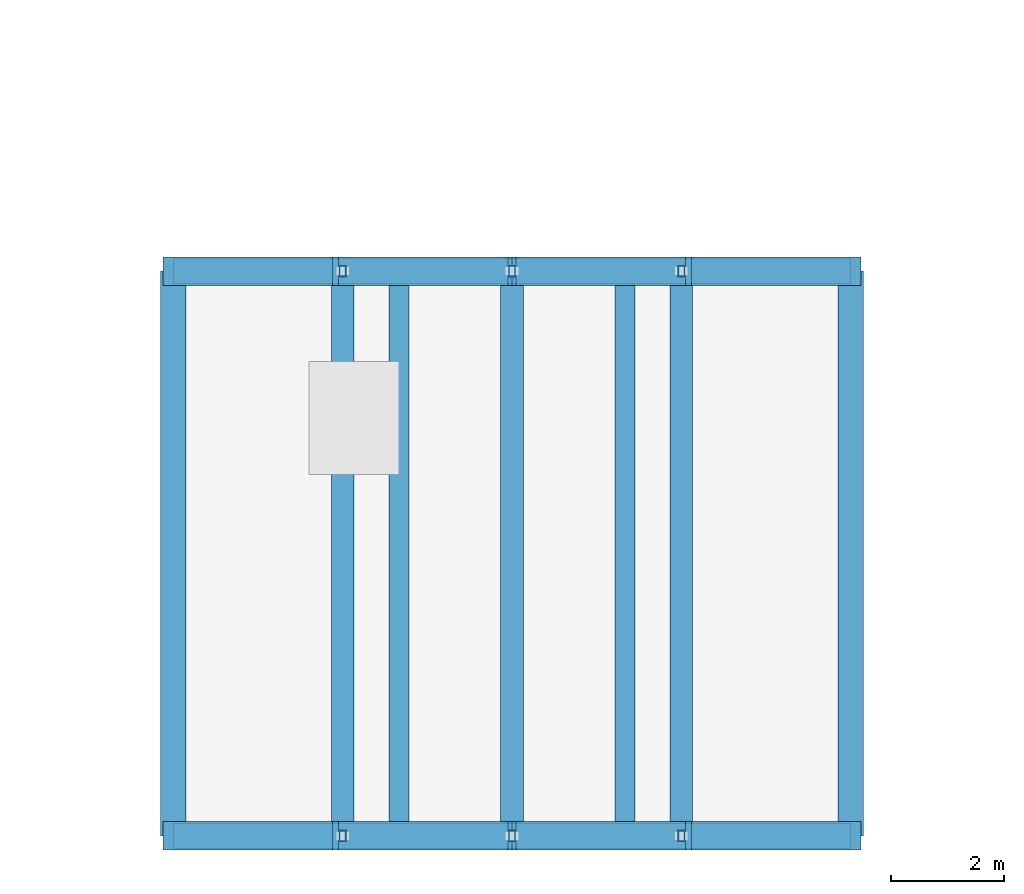
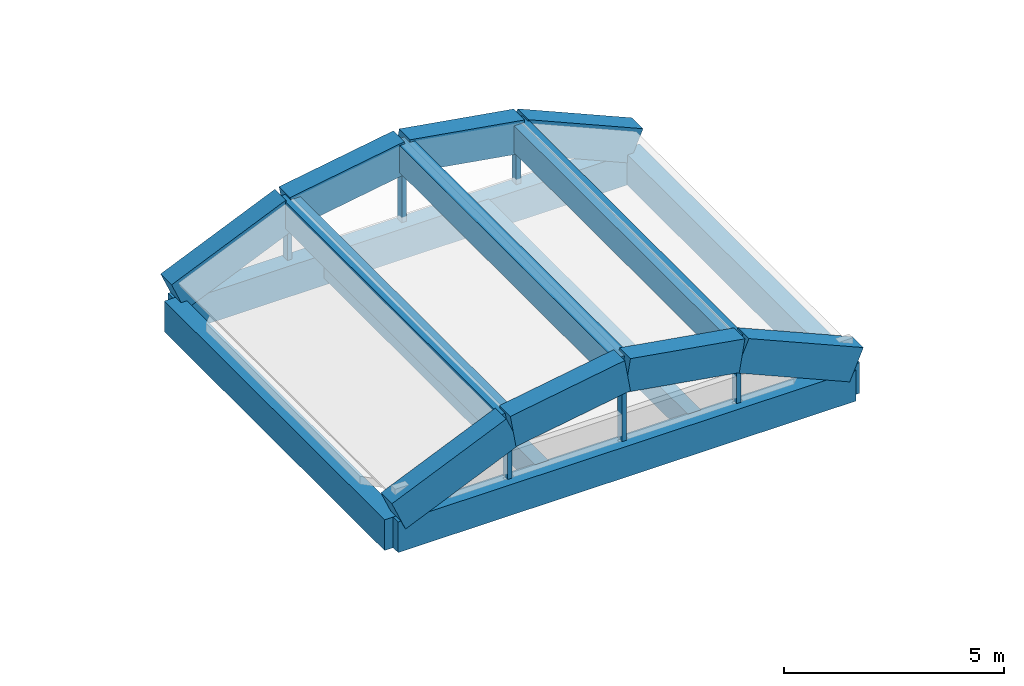
# One storey, part 7 of 82: 17 beams, 6 members.
"""IFC4 building model written with IfcOpenShell, lengths in metres."""

from ifc_helpers import new_model, si_unit, direction, frame, origin, origin_2d, place, context, subcontext, project, spatial, rectangle, hollow_rectangle, extrude, material, material_profile, profile_set, type_object, element, save


model = new_model("IFC4")

# Units and contexts
model_context = context("Model", 3, precision=1e-05, world=origin(), true_north=direction((0.0, 1.0)))
body_context = subcontext(model_context, "Body", "Model", "MODEL_VIEW")
ifc_project = project(units=[si_unit("LENGTHUNIT", "METRE"), si_unit("AREAUNIT", "SQUARE_METRE"), si_unit("VOLUMEUNIT", "CUBIC_METRE"), si_unit("PLANEANGLEUNIT", "RADIAN"), si_unit("MASSUNIT", "GRAM", prefix="KILO")], contexts=[model_context])

# Site, building, storey
site_placement = place(None, origin())
site = spatial("IfcSite", under=ifc_project, at=site_placement, CompositionType="ELEMENT")
building_placement = place(site_placement, origin())
building = spatial("IfcBuilding", under=site, at=building_placement, Name="Mersad Railyard Sports Hall", CompositionType="ELEMENT")
storey_placement = place(building_placement, frame((0.0, 0.0, 13.199951171875)))
storey = spatial("IfcBuildingStorey", under=building, at=storey_placement, Name="L03", CompositionType="ELEMENT", Elevation=13.199951171875)

# Beams
ifc_material_1 = material(Name="Concrete C40/50", Category="concrete")
ifc_material_profile_1 = material_profile(ifc_material_1, rectangle(XDim=0.39990234375, YDim=0.75, at=origin_2d()), Name="RC 400x750")
ifc_profile_set_1 = profile_set([ifc_material_profile_1], Name="Concrete C40/50")
beam_type_1 = type_object("IfcBeamType", Name="STR-BM-B01", PredefinedType="BEAM", material=ifc_profile_set_1)
for number, where, z_axis, x_axis, name in (
    (1, (82.0, 3.5, 1.25), (0.0, 1.0, 0.0), (-1.0, 0.0, 0.0), "Beam B01-1600"),
    (2, (85.0, 3.5, 1.75), (0.0, 1.0, 0.0), (-1.0, 0.0, 0.0), "Beam B01-1601"),
    (3, (88.0, 3.5, 1.25), (0.0, 1.0, 0.0), (-1.0, 0.0, 0.0), "Beam B01-1602"),
):
    element("IfcBeam", number, at=place(storey_placement, frame(where, z_axis=z_axis, x_axis=x_axis)), inside=storey, type_object=beam_type_1, Name=name, PredefinedType="BEAM", context=body_context, shape_type="SweptSolid", body=[
        extrude(rectangle(XDim=0.39990234375, YDim=0.75, at=origin_2d()), origin(), (0.0, 0.0, 1.0), 10.0),
    ])
ifc_material_profile_2 = material_profile(ifc_material_1, rectangle(XDim=0.449951171875, YDim=0.85009765625, at=origin_2d()), Name="RC 450x850")
ifc_profile_set_2 = profile_set([ifc_material_profile_2], Name="Concrete C40/50")
beam_type_2 = type_object("IfcBeamType", Name="STR-BM-B02", PredefinedType="BEAM", material=ifc_profile_set_2)
for number, where, z_axis, x_axis, name in (
    (4, (79.0, 3.5, -0.64501953125), (1.0, 0.0, 0.0), (0.0, 1.0, 0.0), "Beam B02-0566"),
    (5, (79.0, 13.5, -0.64501953125), (1.0, 0.0, 0.0), (0.0, 1.0, 0.0), "Beam B02-0567"),
):
    element("IfcBeam", number, at=place(storey_placement, frame(where, z_axis=z_axis, x_axis=x_axis)), inside=storey, type_object=beam_type_2, Name=name, PredefinedType="BEAM", context=body_context, shape_type="SweptSolid", body=[
        extrude(rectangle(XDim=0.449951171875, YDim=0.85009765625, at=origin_2d()), origin(), (0.0, 0.0, 1.0), 12.0),
    ])
for number, where, z_axis, x_axis, name in (
    (6, (79.0, 3.5, -0.64501953125), (0.0, 1.0, 0.0), (-1.0, 0.0, 0.0), "Beam B02-0568"),
    (7, (91.0, 3.5, -0.64501953125), (0.0, 1.0, 0.0), (-1.0, 0.0, 0.0), "Beam B02-0569"),
):
    element("IfcBeam", number, at=place(storey_placement, frame(where, z_axis=z_axis, x_axis=x_axis)), inside=storey, type_object=beam_type_2, Name=name, PredefinedType="BEAM", context=body_context, shape_type="SweptSolid", body=[
        extrude(rectangle(XDim=0.449951171875, YDim=0.85009765625, at=origin_2d()), origin(), (0.0, 0.0, 1.0), 10.0),
    ])
ifc_material_profile_3 = material_profile(ifc_material_1, rectangle(XDim=0.35009765625, YDim=0.64990234375, at=origin_2d()), Name="RC 350x650")
ifc_profile_set_3 = profile_set([ifc_material_profile_3], Name="Concrete C40/50")
beam_type_3 = type_object("IfcBeamType", Name="STR-BM-J01", PredefinedType="JOIST", material=ifc_profile_set_3)
for number, where, z_axis, x_axis, name in (
    (8, (83.0, 3.679931640625, -0.544921875), (0.0, 1.0, 0.0), (-1.0, 0.0, 0.0), "Beam J01-0570"),
    (9, (87.0, 3.679931640625, -0.544921875), (0.0, 1.0, 0.0), (-1.0, 0.0, 0.0), "Beam J01-0571"),
):
    element("IfcBeam", number, at=place(storey_placement, frame(where, z_axis=z_axis, x_axis=x_axis)), inside=storey, type_object=beam_type_3, Name=name, PredefinedType="JOIST", context=body_context, shape_type="SweptSolid", body=[
        extrude(rectangle(XDim=0.35009765625, YDim=0.64990234375, at=origin_2d()), origin(), (0.0, 0.0, 1.0), 9.64013671875),
    ])
ifc_material_2 = material(Name="Architectural concrete C50/60", Category="concrete")
ifc_material_profile_4 = material_profile(ifc_material_2, rectangle(XDim=0.5, YDim=0.89990234375, at=origin_2d()), Name="VR 500x900")
ifc_profile_set_4 = profile_set([ifc_material_profile_4], Name="Architectural concrete C50/60")
beam_type_4 = type_object("IfcBeamType", Name="STR-BM-VR02", PredefinedType="BEAM", material=ifc_profile_set_4)
beam_1_placement = place(storey_placement, frame((79.0, 3.5, -0.050048828125), z_axis=(0.917550176867, 0.0, 0.397620010727), x_axis=(0.0, 1.0, 0.0)))
element("IfcBeam", 10, at=beam_1_placement, inside=storey, type_object=beam_type_4, Name="Beam VR02-1592", PredefinedType="BEAM", context=body_context, shape_type="SweptSolid", body=[
    extrude(rectangle(XDim=0.5, YDim=0.89990234375, at=origin_2d()), origin(), (0.0, 0.0, 1.0), 3.26953125),
])
for number, where, z_axis, x_axis, name in (
    (11, (82.0, 3.5, 1.25), (0.986393923832, 0.0, 0.164398987305), (0.0, 1.0, 0.0), "Beam VR02-1593"),
    (12, (85.0, 3.5, 1.75), (0.986393923832, 0.0, -0.164398987305), (0.0, 1.0, 0.0), "Beam VR02-1594"),
):
    element("IfcBeam", number, at=place(storey_placement, frame(where, z_axis=z_axis, x_axis=x_axis)), inside=storey, type_object=beam_type_4, Name=name, PredefinedType="BEAM", context=body_context, shape_type="SweptSolid", body=[
        extrude(rectangle(XDim=0.5, YDim=0.89990234375, at=origin_2d()), origin(), (0.0, 0.0, 1.0), 3.041259765625),
    ])
for number, where, z_axis, x_axis, name in (
    (13, (88.0, 3.5, 1.25), (0.917550176867, 0.0, -0.397620010727), (0.0, 1.0, 0.0), "Beam VR02-1595"),
    (14, (79.0, 13.5, -0.050048828125), (0.917550176867, 0.0, 0.397620010727), (0.0, 1.0, 0.0), "Beam VR02-1596"),
):
    element("IfcBeam", number, at=place(storey_placement, frame(where, z_axis=z_axis, x_axis=x_axis)), inside=storey, type_object=beam_type_4, Name=name, PredefinedType="BEAM", context=body_context, shape_type="SweptSolid", body=[
        extrude(rectangle(XDim=0.5, YDim=0.89990234375, at=origin_2d()), origin(), (0.0, 0.0, 1.0), 3.26953125),
    ])
for number, where, z_axis, x_axis, name in (
    (15, (82.0, 13.5, 1.25), (0.986393923832, 0.0, 0.164398987305), (0.0, 1.0, 0.0), "Beam VR02-1597"),
    (16, (85.0, 13.5, 1.75), (0.986393923832, 0.0, -0.164398987305), (0.0, 1.0, 0.0), "Beam VR02-1598"),
):
    element("IfcBeam", number, at=place(storey_placement, frame(where, z_axis=z_axis, x_axis=x_axis)), inside=storey, type_object=beam_type_4, Name=name, PredefinedType="BEAM", context=body_context, shape_type="SweptSolid", body=[
        extrude(rectangle(XDim=0.5, YDim=0.89990234375, at=origin_2d()), origin(), (0.0, 0.0, 1.0), 3.041259765625),
    ])
beam_2_placement = place(storey_placement, frame((88.0, 13.5, 1.25), z_axis=(0.917550176867, 0.0, -0.397620010727), x_axis=(0.0, 1.0, 0.0)))
element("IfcBeam", 17, at=beam_2_placement, inside=storey, type_object=beam_type_4, Name="Beam VR02-1599", PredefinedType="BEAM", context=body_context, shape_type="SweptSolid", body=[
    extrude(rectangle(XDim=0.5, YDim=0.89990234375, at=origin_2d()), origin(), (0.0, 0.0, 1.0), 3.26953125),
])

# Members
ifc_material_3 = material(Name="Steel S355", Category="steel")
ifc_material_profile_5 = material_profile(ifc_material_3, hollow_rectangle(XDim=0.1201171875, YDim=0.199951171875, WallThickness=0.010009765625, at=origin_2d()), Name="RHS 200x120x10")
ifc_profile_set_5 = profile_set([ifc_material_profile_5], Name="Steel S355")
member_type = type_object("IfcMemberType", Name="STR-MEM-SR01", PredefinedType="STRUT", material=ifc_profile_set_5)
member_1_placement = place(storey_placement, frame((82.0, 3.5, -0.14990234375), z_axis=(0.0, 0.0, 1.0), x_axis=(1.0, 0.0, 0.0)))
element("IfcMember", 18, at=member_1_placement, inside=storey, type_object=member_type, Name="Structural member SR01-0390", PredefinedType="STRUT", context=body_context, shape_type="SweptSolid", body=[
    extrude(hollow_rectangle(XDim=0.1201171875, YDim=0.199951171875, WallThickness=0.010009765625, at=origin_2d()), origin(), (0.0, 0.0, 1.0), 1.39990234375),
])
member_2_placement = place(storey_placement, frame((85.0, 3.5, -0.14990234375), z_axis=(0.0, 0.0, 1.0), x_axis=(1.0, 0.0, 0.0)))
element("IfcMember", 19, at=member_2_placement, inside=storey, type_object=member_type, Name="Structural member SR01-0391", PredefinedType="STRUT", context=body_context, shape_type="SweptSolid", body=[
    extrude(hollow_rectangle(XDim=0.1201171875, YDim=0.199951171875, WallThickness=0.010009765625, at=origin_2d()), origin(), (0.0, 0.0, 1.0), 1.89990234375),
])
for number, where, z_axis, x_axis, name in (
    (20, (88.0, 3.5, -0.14990234375), (0.0, 0.0, 1.0), (1.0, 0.0, 0.0), "Structural member SR01-0392"),
    (21, (82.0, 13.5, -0.14990234375), (0.0, 0.0, 1.0), (1.0, 0.0, 0.0), "Structural member SR01-0393"),
):
    element("IfcMember", number, at=place(storey_placement, frame(where, z_axis=z_axis, x_axis=x_axis)), inside=storey, type_object=member_type, Name=name, PredefinedType="STRUT", context=body_context, shape_type="SweptSolid", body=[
        extrude(hollow_rectangle(XDim=0.1201171875, YDim=0.199951171875, WallThickness=0.010009765625, at=origin_2d()), origin(), (0.0, 0.0, 1.0), 1.39990234375),
    ])
member_3_placement = place(storey_placement, frame((85.0, 13.5, -0.14990234375), z_axis=(0.0, 0.0, 1.0), x_axis=(1.0, 0.0, 0.0)))
element("IfcMember", 22, at=member_3_placement, inside=storey, type_object=member_type, Name="Structural member SR01-0394", PredefinedType="STRUT", context=body_context, shape_type="SweptSolid", body=[
    extrude(hollow_rectangle(XDim=0.1201171875, YDim=0.199951171875, WallThickness=0.010009765625, at=origin_2d()), origin(), (0.0, 0.0, 1.0), 1.89990234375),
])
member_4_placement = place(storey_placement, frame((88.0, 13.5, -0.14990234375), z_axis=(0.0, 0.0, 1.0), x_axis=(1.0, 0.0, 0.0)))
element("IfcMember", 23, at=member_4_placement, inside=storey, type_object=member_type, Name="Structural member SR01-0395", PredefinedType="STRUT", context=body_context, shape_type="SweptSolid", body=[
    extrude(hollow_rectangle(XDim=0.1201171875, YDim=0.199951171875, WallThickness=0.010009765625, at=origin_2d()), origin(), (0.0, 0.0, 1.0), 1.39990234375),
])

save(model, "model.ifc")
